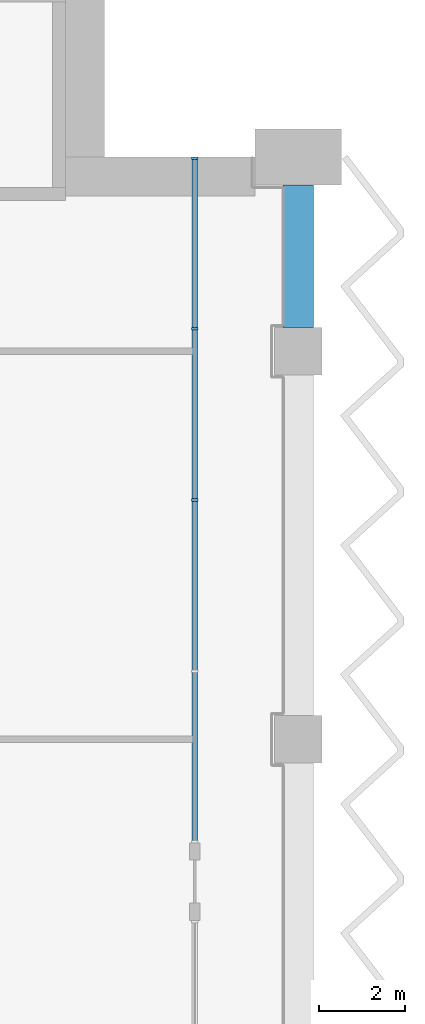
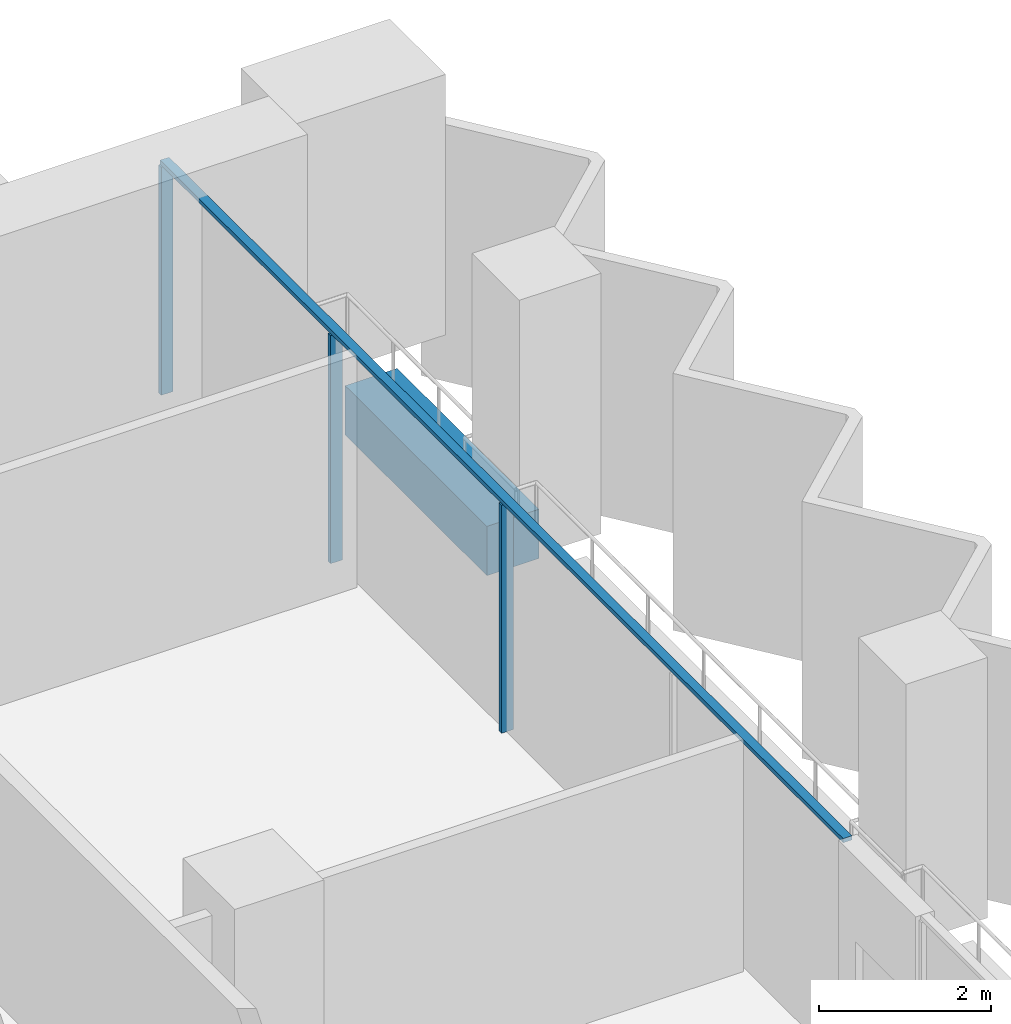
# One storey, part 6 of 23: 4 members, 1 beam, 1 element without a shape of its own.
"""IFC4 building model written with IfcOpenShell, lengths in metres."""

from ifc_helpers import new_model, si_unit, direction, frame, origin, origin_2d, place, context, subcontext, project, spatial, rectangle, extrude, material, material_profile, profile_set, type_object, element, aggregate, save


model = new_model("IFC4")

# Units and contexts
model_context = context("Model", 3, precision=1e-05, world=origin(), true_north=direction((0.0, 1.0)))
body_context = subcontext(model_context, "Body", "Model", "MODEL_VIEW")
ifc_project = project(units=[si_unit("LENGTHUNIT", "METRE"), si_unit("AREAUNIT", "SQUARE_METRE"), si_unit("VOLUMEUNIT", "CUBIC_METRE"), si_unit("PLANEANGLEUNIT", "RADIAN"), si_unit("MASSUNIT", "GRAM", prefix="KILO")], contexts=[model_context])

# Site, building, storey
site_placement = place(None, origin())
site = spatial("IfcSite", under=ifc_project, at=site_placement, CompositionType="ELEMENT")
building_placement = place(site_placement, origin())
building = spatial("IfcBuilding", under=site, at=building_placement, Name="Hunhe Ridgeline Campus", CompositionType="ELEMENT")
storey_placement = place(building_placement, frame((0.0, 0.0, 144.89990234375)))
storey = spatial("IfcBuildingStorey", under=building, at=storey_placement, Name="L36", CompositionType="ELEMENT", Elevation=144.89990234375)

# Curtain wall, members
ifc_material_1 = material(Name="Aluminium 6063", Category="aluminium")
curtain_wall_type = type_object("IfcCurtainWallType", Name="Curtain wall CW-1", PredefinedType="NOTDEFINED", material=ifc_material_1)
curtain_wall_placement = place(storey_placement, origin())
curtain_wall = element("IfcCurtainWall", 1, at=curtain_wall_placement, inside=storey, type_object=curtain_wall_type, Name="Curtain wall 15", PredefinedType="NOTDEFINED")
ifc_material_profile_1 = material_profile(ifc_material_1, rectangle(XDim=0.159912109375, YDim=0.06005859375, at=origin_2d()))
ifc_profile_set_1 = profile_set([ifc_material_profile_1], Name="Aluminium 6063")
member_type_1 = type_object("IfcMemberType", Name="CW-1 aluminium mullion", PredefinedType="MULLION", material=ifc_profile_set_1)
member_1_placement = place(storey_placement, frame((60.59912109375, 86.55029296875, 0.0), z_axis=(0.0, 0.0, 1.0), x_axis=(-1.0, 0.0, 0.0)))
member_1 = element("IfcMember", 2, at=member_1_placement, type_object=member_type_1, Name="CW-1 mullion 3", PredefinedType="MULLION", context=body_context, shape_type="SweptSolid", body=[
    extrude(rectangle(XDim=0.159912109375, YDim=0.06005859375, at=origin_2d()), origin(), (0.0, 0.0, 1.0), 3.239990234375),
])
member_2_placement = place(storey_placement, frame((60.59912109375, 90.525146484375, 0.0), z_axis=(0.0, 0.0, 1.0), x_axis=(-1.0, 0.0, 0.0)))
member_2 = element("IfcMember", 3, at=member_2_placement, type_object=member_type_1, Name="CW-1 mullion 4", PredefinedType="MULLION", context=body_context, shape_type="SweptSolid", body=[
    extrude(rectangle(XDim=0.159912109375, YDim=0.06005859375, at=origin_2d()), origin(), (0.0, 0.0, 1.0), 3.239990234375),
])
member_3_placement = place(storey_placement, frame((60.59912109375, 94.469970703125, 0.0), z_axis=(0.0, 0.0, 1.0), x_axis=(-1.0, 0.0, 0.0)))
member_3 = element("IfcMember", 4, at=member_3_placement, type_object=member_type_1, Name="CW-1 mullion 5", PredefinedType="MULLION", context=body_context, shape_type="SweptSolid", body=[
    extrude(rectangle(XDim=0.159912109375, YDim=0.06005859375, at=origin_2d()), origin(), (0.0, 0.0, 1.0), 3.239990234375),
])
ifc_material_profile_2 = material_profile(ifc_material_1, rectangle(XDim=0.1201171875, YDim=0.06005859375, at=origin_2d()))
ifc_profile_set_2 = profile_set([ifc_material_profile_2], Name="Aluminium 6063")
member_type_2 = type_object("IfcMemberType", Name="CW-1 aluminium transom", PredefinedType="USERDEFINED", material=ifc_profile_set_2)
member_4_placement = place(storey_placement, frame((60.59912109375, 78.6005859375, 3.27001953125), z_axis=(0.0, 1.0, 0.0), x_axis=(-1.0, 0.0, 0.0)))
member_4 = element("IfcMember", 5, at=member_4_placement, type_object=member_type_2, Name="CW-1 transom 1", ObjectType="TRANSOM", PredefinedType="USERDEFINED", context=body_context, shape_type="SweptSolid", body=[
    extrude(rectangle(XDim=0.1201171875, YDim=0.06005859375, at=origin_2d()), origin(), (0.0, 0.0, 1.0), 15.8994140625),
])
aggregate(curtain_wall, [member_4, member_1, member_2, member_3])

# Beam
ifc_material_2 = material(Name="Concrete C60", Category="concrete")
ifc_material_profile_3 = material_profile(ifc_material_2, rectangle(XDim=0.699951171875, YDim=0.699951171875, at=origin_2d()))
ifc_profile_set_3 = profile_set([ifc_material_profile_3], Name="Concrete C60")
beam_type = type_object("IfcBeamType", Name="RC spandrel beam 700x700 Concrete C60", PredefinedType="SPANDREL", material=ifc_profile_set_3)
beam_placement = place(storey_placement, frame((63.0, 90.550048828125, -0.599853515625), z_axis=(0.0, 1.0, 0.0), x_axis=(-1.0, 0.0, 0.0)))
element("IfcBeam", 6, at=beam_placement, inside=storey, type_object=beam_type, Name="Spandrel beam B2-20 L36", PredefinedType="SPANDREL", context=body_context, shape_type="SweptSolid", body=[
    extrude(rectangle(XDim=0.699951171875, YDim=0.699951171875, at=origin_2d()), origin(), (0.0, 0.0, 1.0), 3.300048828125),
])

save(model, "model.ifc")
